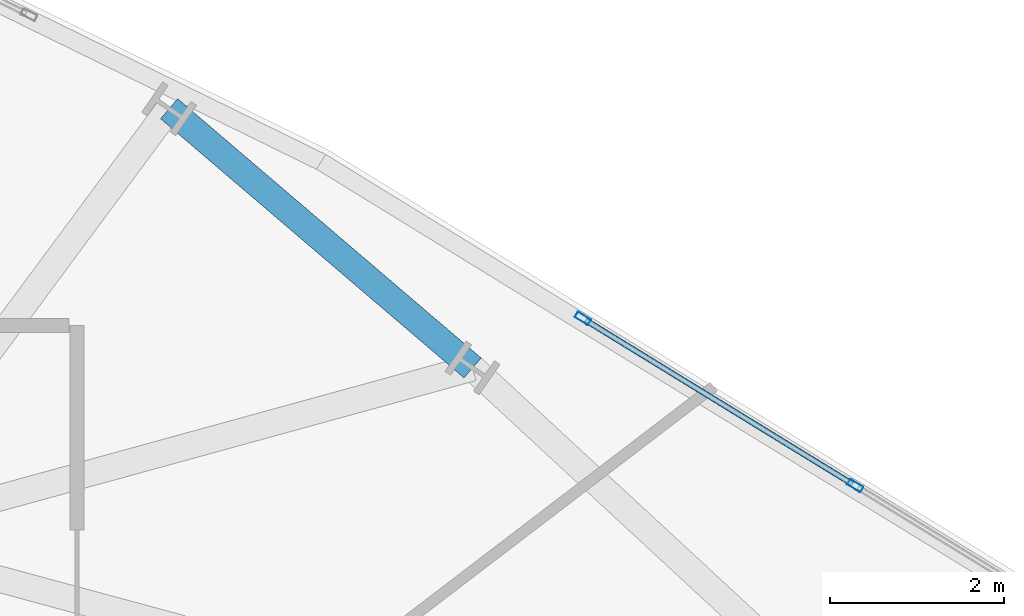
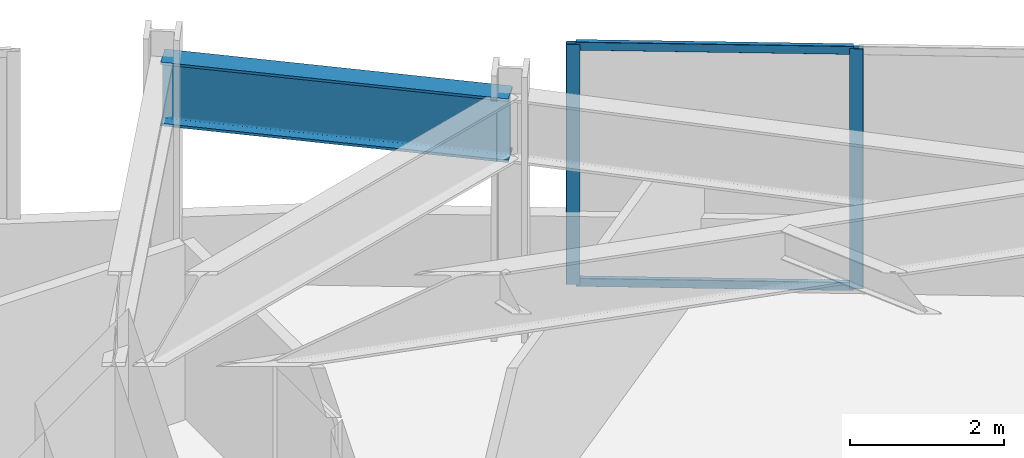
# One storey, part 7 of 19: 4 members, 1 beam, 1 element without a shape of its own.
"""IFC4 building model written with IfcOpenShell, lengths in metres."""

from ifc_helpers import new_model, si_unit, direction, frame, origin, origin_2d, place, context, subcontext, project, spatial, hollow_rectangle, i_section, extrude, material, material_profile, profile_set, type_object, element, aggregate, save


model = new_model("IFC4")

# Units and contexts
model_context = context("Model", 3, precision=1e-05, world=origin(), true_north=direction((0.0, 1.0)))
body_context = subcontext(model_context, "Body", "Model", "MODEL_VIEW")
ifc_project = project(units=[si_unit("LENGTHUNIT", "METRE"), si_unit("AREAUNIT", "SQUARE_METRE"), si_unit("VOLUMEUNIT", "CUBIC_METRE"), si_unit("PLANEANGLEUNIT", "RADIAN"), si_unit("MASSUNIT", "GRAM", prefix="KILO")], contexts=[model_context])

# Site, building, storey
site_placement = place(None, origin())
site = spatial("IfcSite", under=ifc_project, at=site_placement, CompositionType="ELEMENT")
building_placement = place(site_placement, origin())
building = spatial("IfcBuilding", under=site, at=building_placement, Name="Narakoshi Arena Tower", CompositionType="ELEMENT")
storey_placement = place(building_placement, frame((0.0, 0.0, 128.10009765625)))
storey = spatial("IfcBuildingStorey", under=building, at=storey_placement, Name="L34", CompositionType="ELEMENT", Elevation=128.10009765625)

# Beam
ifc_material_1 = material(Name="Structural steel S460ML", Category="steel")
ifc_material_profile_1 = material_profile(ifc_material_1, i_section(OverallWidth=0.302001953125, OverallDepth=1.008056640625, WebThickness=0.02099609375, FlangeThickness=0.0400390625, FilletRadius=0.030029296875, at=origin_2d()), Name="HE1000M")
ifc_profile_set_1 = profile_set([ifc_material_profile_1], Name="Structural steel S460ML")
beam_type = type_object("IfcBeamType", Name="BM-XFER-1000", PredefinedType="BEAM", material=ifc_profile_set_1)
beam_placement = place(storey_placement, frame((92.68994140625, 58.462890625, 3.2958984375), z_axis=(-0.760410417533, 0.64944283575, 0.0), x_axis=(-0.64944283575, -0.760410417533, 0.0)))
element("IfcBeam", 1, at=beam_placement, inside=storey, type_object=beam_type, Name="L34 Perimeter Transfer Ring Girder 07", PredefinedType="BEAM", context=body_context, shape_type="SweptSolid", body=[
    extrude(i_section(OverallWidth=0.302001953125, OverallDepth=1.008056640625, WebThickness=0.02099609375, FlangeThickness=0.0400390625, FilletRadius=0.030029296875, at=origin_2d()), origin(), (0.0, 0.0, 1.0), 4.58056640625),
])

# Curtain wall, members
ifc_material_2 = material(Name="Anodised bronze aluminium 6063-T6", Category="aluminium")
curtain_wall_type = type_object("IfcCurtainWallType", Name="CW-HYP-LOW", PredefinedType="NOTDEFINED", material=ifc_material_2)
curtain_wall_placement = place(storey_placement, origin())
curtain_wall = element("IfcCurtainWall", 2, at=curtain_wall_placement, inside=storey, type_object=curtain_wall_type, Name="L34 Folded Hypotenuse Curtain Wall 1-1", PredefinedType="NOTDEFINED")
ifc_material_profile_2 = material_profile(ifc_material_2, hollow_rectangle(XDim=0.074951171875, YDim=0.179931640625, WallThickness=0.00390625, OuterFilletRadius=0.0048828125, at=origin_2d()), Name="MUL180x75x4")
ifc_profile_set_2 = profile_set([ifc_material_profile_2], Name="Anodised bronze aluminium 6063-T6")
member_type_1 = type_object("IfcMemberType", Name="MEM-MUL-180", PredefinedType="MULLION", material=ifc_profile_set_2)
member_1_placement = place(storey_placement, frame((97.08251953125, 57.10986328125, 0.0), z_axis=(0.0, 0.0, 1.0), x_axis=(-0.523358055641, -0.852112871394, 0.0)))
member_1 = element("IfcMember", 3, at=member_1_placement, type_object=member_type_1, Name="CW-01 mullion 8", PredefinedType="MULLION", context=body_context, shape_type="SweptSolid", body=[
    extrude(hollow_rectangle(XDim=0.074951171875, YDim=0.179931640625, WallThickness=0.00390625, OuterFilletRadius=0.0048828125, at=origin_2d()), origin(), (0.0, 0.0, 1.0), 3.7998046875),
])
member_2_placement = place(storey_placement, frame((93.95556640625, 59.030517578125, 0.0), z_axis=(0.0, 0.0, 1.0), x_axis=(-0.523358055641, -0.852112871394, 0.0)))
member_2 = element("IfcMember", 4, at=member_2_placement, type_object=member_type_1, Name="CW-01 mullion 9", PredefinedType="MULLION", context=body_context, shape_type="SweptSolid", body=[
    extrude(hollow_rectangle(XDim=0.074951171875, YDim=0.179931640625, WallThickness=0.00390625, OuterFilletRadius=0.0048828125, at=origin_2d()), origin(), (0.0, 0.0, 1.0), 3.7998046875),
])
ifc_material_profile_3 = material_profile(ifc_material_2, hollow_rectangle(XDim=0.06494140625, YDim=0.1298828125, WallThickness=0.00390625, OuterFilletRadius=0.0048828125, at=origin_2d()), Name="TRN130x65x4")
ifc_profile_set_3 = profile_set([ifc_material_profile_3], Name="Anodised bronze aluminium 6063-T6")
member_type_2 = type_object("IfcMemberType", Name="MEM-TRN-130", PredefinedType="USERDEFINED", material=ifc_profile_set_3)
member_3_placement = place(storey_placement, frame((97.050537109375, 57.129638671875, 0.032470703125), z_axis=(-0.852131372672, 0.523327931328, 0.0), x_axis=(-0.523327931328, -0.852131372672, 0.0)))
member_3 = element("IfcMember", 5, at=member_3_placement, type_object=member_type_2, Name="CW-01 transom 8.1", ObjectType="TRANSOM", PredefinedType="USERDEFINED", context=body_context, shape_type="SweptSolid", body=[
    extrude(hollow_rectangle(XDim=0.06494140625, YDim=0.1298828125, WallThickness=0.00390625, OuterFilletRadius=0.0048828125, at=origin_2d()), origin(), (0.0, 0.0, 1.0), 3.594482421875),
])
member_4_placement = place(storey_placement, frame((97.050537109375, 57.129638671875, 3.767333984375), z_axis=(-0.852131372672, 0.523327931328, 0.0), x_axis=(-0.523327931328, -0.852131372672, 0.0)))
member_4 = element("IfcMember", 6, at=member_4_placement, type_object=member_type_2, Name="CW-01 transom 8.2", ObjectType="TRANSOM", PredefinedType="USERDEFINED", context=body_context, shape_type="SweptSolid", body=[
    extrude(hollow_rectangle(XDim=0.06494140625, YDim=0.1298828125, WallThickness=0.00390625, OuterFilletRadius=0.0048828125, at=origin_2d()), origin(), (0.0, 0.0, 1.0), 3.594482421875),
])
aggregate(curtain_wall, [member_1, member_2, member_3, member_4])

save(model, "model.ifc")
